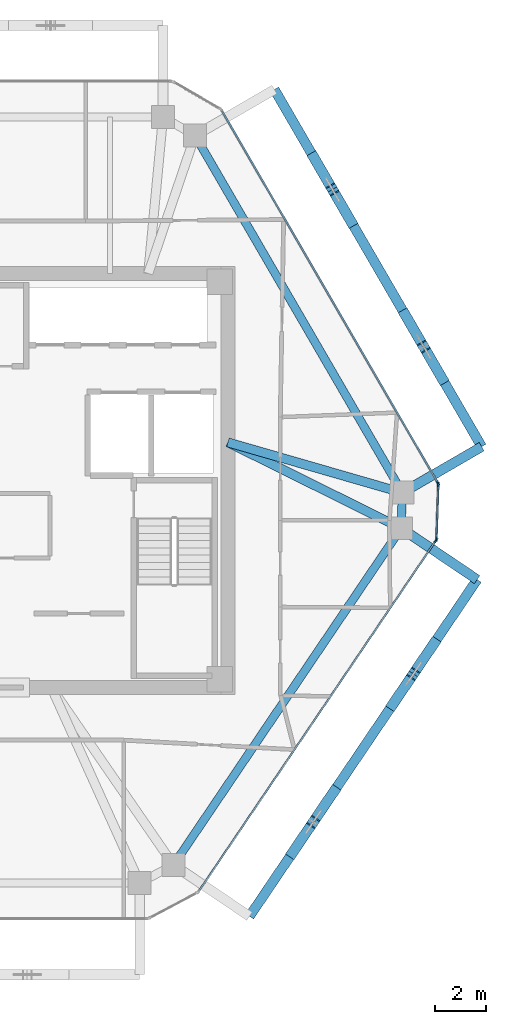
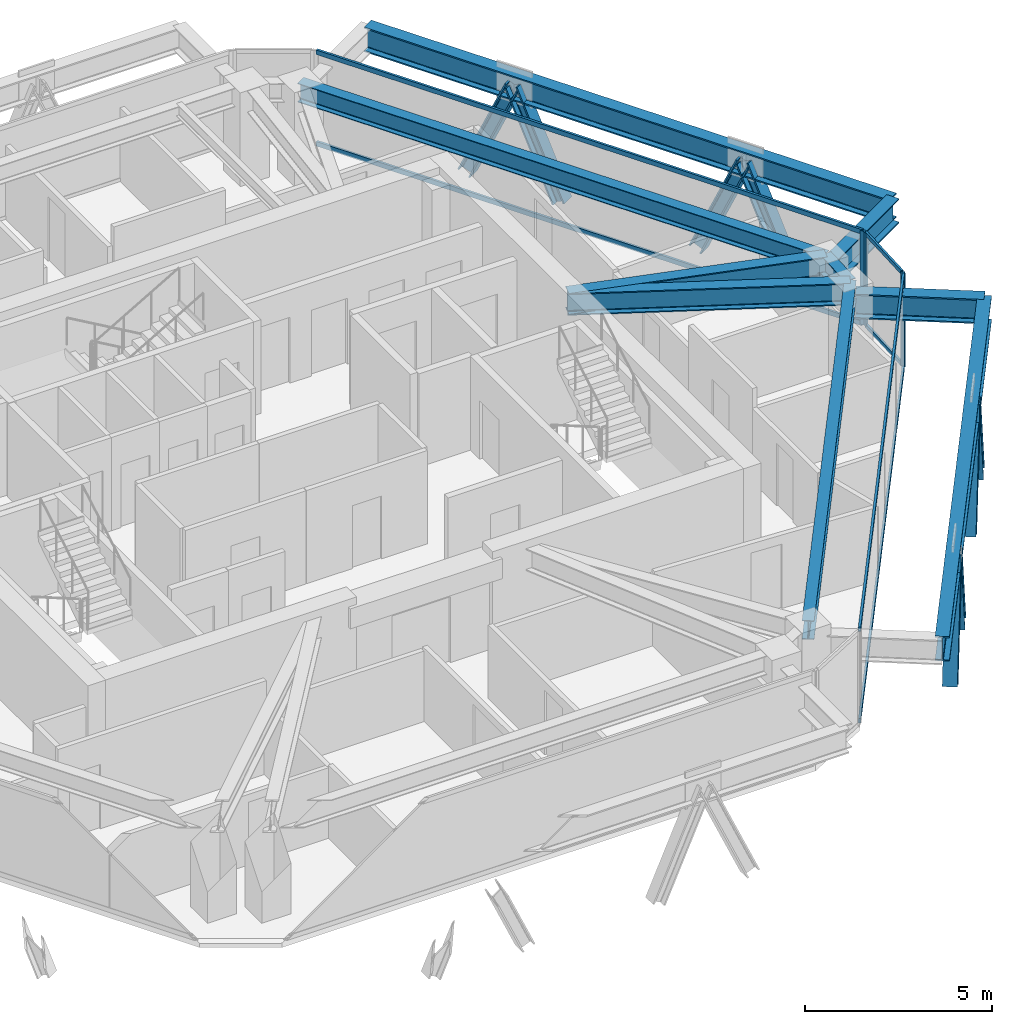
# One storey, part 5 of 13: 18 members, 9 beams, 3 elements without a shape of their own.
"""IFC4 building model written with IfcOpenShell, lengths in metres."""

import ifcopenshell
import ifcopenshell.guid

model = None  # the IFC model being written
_history = None  # IfcOwnerHistory: only IFC2X3 demands one
_inside = {}  # id of a spatial element -> (the spatial element, [elements in it])
_under = {}  # id of a project, library or spatial element -> (it, [spatial elements below it])
_declared = {}  # id of a project -> (the project, [libraries it declares])
_typed = {}  # id of a type object -> (the type object, [elements of that type])
_made_of = {}  # id of a material, layer set ... -> (it, [elements and type objects made of it])


def new_model(schema):
    """Start an empty IFC model of exactly this schema.

    Asked for "IFC4X3", IfcOpenShell would pick the latest addendum, in which some entities
    have other attributes; the version numbers below select the first issue.
    IFC2X3 requires an IfcOwnerHistory on every rooted entity: one is made here for all.
    """
    global model, _history
    if schema == "IFC4X3":
        model = ifcopenshell.file(schema_version=(4, 3, 0, 0))
    else:
        model = ifcopenshell.file(schema=schema)
    _inside.clear()
    _under.clear()
    _declared.clear()
    _typed.clear()
    _made_of.clear()
    _history = None
    if model.schema == "IFC2X3":
        org = make("IfcOrganization", Name="unknown")
        user = make(
            "IfcPersonAndOrganization",
            ThePerson=make("IfcPerson", FamilyName="unknown"),
            TheOrganization=org,
        )
        app = make(
            "IfcApplication",
            ApplicationDeveloper=org,
            Version="unknown",
            ApplicationFullName="unknown",
            ApplicationIdentifier="unknown",
        )
        _history = make(
            "IfcOwnerHistory",
            OwningUser=user,
            OwningApplication=app,
            ChangeAction="ADDED",
            CreationDate=0,
        )
    return model


def make(cls, **values):
    """One entity of the class cls with the attributes given. An attribute that is None is left unset."""
    return model.create_entity(
        cls, **{name: value for name, value in values.items() if value is not None}
    )


def rooted(cls, **values):
    """An entity with a GlobalId (a new one), such as an element, a storey or a relation."""
    return make(cls, GlobalId=ifcopenshell.guid.new(), OwnerHistory=_history, **values)


def si_unit(unit_type, name, prefix=None):
    """IfcSIUnit, for example si_unit("LENGTHUNIT", "METRE", prefix="MILLI")."""
    return make("IfcSIUnit", UnitType=unit_type, Prefix=prefix, Name=name)


def assignment(units):
    """IfcUnitAssignment: the units of a project."""
    return None if units is None else make("IfcUnitAssignment", Units=units)


def point(xyz):
    """IfcCartesianPoint."""
    return None if xyz is None else make("IfcCartesianPoint", Coordinates=xyz)


def direction(xyz):
    """IfcDirection."""
    return None if xyz is None else make("IfcDirection", DirectionRatios=xyz)


def frame(location, z_axis=None, x_axis=None):
    """IfcAxis2Placement3D, a coordinate frame: its origin and axes. An axis left out is left unset."""
    return make(
        "IfcAxis2Placement3D",
        Location=point(location),
        Axis=direction(z_axis),
        RefDirection=direction(x_axis),
    )


def frame_2d(location, x_axis=None):
    """IfcAxis2Placement2D, a coordinate frame in the plane: its origin and x axis."""
    return make(
        "IfcAxis2Placement2D", Location=point(location), RefDirection=direction(x_axis)
    )


def origin():
    """The frame at (0, 0, 0) with its axes left unset."""
    return frame((0.0, 0.0, 0.0))


def origin_2d():
    """The frame at (0, 0) in the plane with its x axis left unset."""
    return frame_2d((0.0, 0.0))


def place(relative_to, where):
    """IfcLocalPlacement: puts the frame where relative to a parent placement (None: the world)."""
    return make(
        "IfcLocalPlacement", PlacementRelTo=relative_to, RelativePlacement=where
    )


def context(
    kind, dimensions, precision=None, world=None, true_north=None, identifier=None
):
    """IfcGeometricRepresentationContext, for example the 3D "Model" context."""
    return make(
        "IfcGeometricRepresentationContext",
        ContextIdentifier=identifier,
        ContextType=kind,
        CoordinateSpaceDimension=dimensions,
        Precision=precision,
        WorldCoordinateSystem=world,
        TrueNorth=true_north,
    )


def subcontext(parent, identifier, kind, view, scale=None):
    """IfcGeometricRepresentationSubContext, for example "Body" below "Model"."""
    return make(
        "IfcGeometricRepresentationSubContext",
        ContextIdentifier=identifier,
        ContextType=kind,
        ParentContext=parent,
        TargetScale=scale,
        TargetView=view,
    )


def project(units=None, contexts=None):
    """IfcProject with its units and contexts."""
    return rooted(
        "IfcProject",
        Name="project",
        RepresentationContexts=contexts,
        UnitsInContext=assignment(units),
    )


def spatial(cls, under=None, at=None, **own):
    """A site, building, storey or space (cls), placed at a placement, below another one or the project."""
    s = rooted(cls, ObjectPlacement=at, **own)
    if under is not None:
        _under.setdefault(under.id(), (under, []))[1].append(s)
    return s


def profile(cls, at=None, kind="AREA", **sizes):
    """A parametric profile (cls). Its sizes go by their IFC names, for example OverallWidth=200.0."""
    return make(cls, ProfileType=kind, Position=at, **sizes)


def rectangle(**sizes):
    """IfcRectangleProfileDef."""
    return profile("IfcRectangleProfileDef", **sizes)


def i_section(**sizes):
    """IfcIShapeProfileDef."""
    return profile("IfcIShapeProfileDef", **sizes)


def extrude(swept, where, along, depth):
    """IfcExtrudedAreaSolid: the profile swept, set in the frame where, extruded along a direction by depth."""
    return make(
        "IfcExtrudedAreaSolid",
        SweptArea=swept,
        Position=where,
        ExtrudedDirection=direction(along),
        Depth=depth,
    )


def shape(context_of_items, identifier, shape_type, items):
    """IfcShapeRepresentation: the items that make up one representation, for example the "Body"."""
    return make(
        "IfcShapeRepresentation",
        ContextOfItems=context_of_items,
        RepresentationIdentifier=identifier,
        RepresentationType=shape_type,
        Items=items,
    )


def source(mapping_origin, context_of_items, identifier, shape_type, items):
    """IfcRepresentationMap: a shape defined once, which mapped items show again and again."""
    return make(
        "IfcRepresentationMap",
        MappingOrigin=mapping_origin,
        MappedRepresentation=shape(context_of_items, identifier, shape_type, items),
    )


def transform(
    local_origin,
    x_axis=None,
    y_axis=None,
    z_axis=None,
    scale=None,
    scale2=None,
    scale3=None,
    uniform=True,
):
    """IfcCartesianTransformationOperator3D, or its non-uniform kind. x_axis, y_axis, z_axis: its Axis1, 2, 3."""
    if uniform:
        return make(
            "IfcCartesianTransformationOperator3D",
            Axis1=direction(x_axis),
            Axis2=direction(y_axis),
            LocalOrigin=point(local_origin),
            Scale=scale,
            Axis3=direction(z_axis),
        )
    return make(
        "IfcCartesianTransformationOperator3DnonUniform",
        Axis1=direction(x_axis),
        Axis2=direction(y_axis),
        LocalOrigin=point(local_origin),
        Scale=scale,
        Axis3=direction(z_axis),
        Scale2=scale2,
        Scale3=scale3,
    )


def mapped(mapping_source, mapping_target):
    """IfcMappedItem: shows the shape of a source again, moved by a transform."""
    return make(
        "IfcMappedItem", MappingSource=mapping_source, MappingTarget=mapping_target
    )


def material(Name=None, Category=None):
    """IfcMaterial."""
    return make("IfcMaterial", Name=Name, Category=Category)


def layer(
    of_material, thickness, ventilated=None, Name=None, Category=None, Priority=None
):
    """IfcMaterialLayer: one layer of a wall or slab, of a material (None: an air gap)."""
    return make(
        "IfcMaterialLayer",
        Material=of_material,
        LayerThickness=thickness,
        IsVentilated=ventilated,
        Name=Name,
        Category=Category,
        Priority=Priority,
    )


def layer_set(layers, Name=None):
    """IfcMaterialLayerSet."""
    return make("IfcMaterialLayerSet", MaterialLayers=layers, LayerSetName=Name)


def material_profile(
    of_material, cross_section, Name=None, Category=None, Priority=None
):
    """IfcMaterialProfile: a cross section and its material."""
    return make(
        "IfcMaterialProfile",
        Name=Name,
        Material=of_material,
        Profile=cross_section,
        Priority=Priority,
        Category=Category,
    )


def profile_set(profiles, Name=None, composite=None):
    """IfcMaterialProfileSet."""
    return make(
        "IfcMaterialProfileSet",
        Name=Name,
        MaterialProfiles=profiles,
        CompositeProfile=composite,
    )


def made_of(thing, what):
    """Note that an element or type object is made of a material, layer set ...; save() writes the relation."""
    if what is not None:
        _made_of.setdefault(what.id(), (what, []))[1].append(thing)
    return thing


def type_object(cls, material=None, **own):
    """A type object (cls), such as IfcWallType, which elements share."""
    return made_of(rooted(cls, **own), material)


def type_shapes(of_type, sources):
    """Give a type object the sources (RepresentationMaps) that its elements show as mapped items."""
    of_type.RepresentationMaps = sources


def element(
    cls,
    number,
    at=None,
    inside=None,
    cuts=None,
    type_object=None,
    material=None,
    context=None,
    identifier="Body",
    shape_type=None,
    held_by="IfcProductDefinitionShape",
    body=None,
    shapes=None,
    **own,
):
    """One element of the class cls, such as IfcWall. Its Tag is "e" and its number.

    at: its placement. inside: the storey or other place that contains it. cuts: it is an
    opening in that element (IfcRelVoidsElement). A single representation is given by context,
    identifier, shape_type and body (its items); several are given by shapes. held_by: the class
    of the entity that holds the representations. save() writes the other relations.
    """
    e = rooted(cls, Tag="e%d" % number, ObjectPlacement=at, **own)
    if body is not None:
        shapes = [shape(context, identifier, shape_type, body)]
    if shapes is not None:
        e.Representation = make(held_by, Representations=shapes)
    if inside is not None:
        _inside.setdefault(inside.id(), (inside, []))[1].append(e)
    if cuts is not None:
        rooted(
            "IfcRelVoidsElement", RelatingBuildingElement=cuts, RelatedOpeningElement=e
        )
    if type_object is not None:
        _typed.setdefault(type_object.id(), (type_object, []))[1].append(e)
    return made_of(e, material)


def aggregate(whole, parts):
    """IfcRelAggregates: a whole, such as a stair, and the parts it consists of."""
    return rooted("IfcRelAggregates", RelatingObject=whole, RelatedObjects=parts)


def save(model, path):
    """Write the relations noted so far, then the file.

    IfcRelAggregates (storeys below a building ...), IfcRelContainedInSpatialStructure (elements
    in a storey), IfcRelDefinesByType, IfcRelAssociatesMaterial and IfcRelDeclares: one each for
    every whole, place, type object, material and project.
    """
    for whole, parts in _under.values():
        aggregate(whole, parts)
    for where, things in _inside.values():
        rooted(
            "IfcRelContainedInSpatialStructure",
            RelatedElements=things,
            RelatingStructure=where,
        )
    for kind, things in _typed.values():
        rooted("IfcRelDefinesByType", RelatedObjects=things, RelatingType=kind)
    for what, things in _made_of.values():
        rooted("IfcRelAssociatesMaterial", RelatedObjects=things, RelatingMaterial=what)
    for by, libraries in _declared.values():
        rooted("IfcRelDeclares", RelatingContext=by, RelatedDefinitions=libraries)
    model.write(path)


model = new_model("IFC4")

# Units and contexts
model_context = context("Model", 3, precision=1e-05, world=origin(), true_north=direction((0.0, 1.0)))
body_context = subcontext(model_context, "Body", "Model", "MODEL_VIEW")
ifc_project = project(units=[si_unit("LENGTHUNIT", "METRE"), si_unit("AREAUNIT", "SQUARE_METRE"), si_unit("VOLUMEUNIT", "CUBIC_METRE"), si_unit("PLANEANGLEUNIT", "RADIAN"), si_unit("MASSUNIT", "GRAM", prefix="KILO")], contexts=[model_context])

# Site, building, storey
site_placement = place(None, origin())
site = spatial("IfcSite", under=ifc_project, at=site_placement, CompositionType="ELEMENT")
building_placement = place(site_placement, origin())
building = spatial("IfcBuilding", under=site, at=building_placement, Name="Durnholm Broadcast Tower", CompositionType="ELEMENT")
storey_placement = place(building_placement, frame((0.0, 0.0, 234.800048828125)))
storey = spatial("IfcBuildingStorey", under=building, at=storey_placement, Name="L65", CompositionType="ELEMENT", Elevation=234.800048828125)

# Beams
ifc_material_1 = material(Name="Steel ASTM A992 Grade 50", Category="steel")
ifc_material_profile_1 = material_profile(ifc_material_1, i_section(OverallWidth=0.385009765625, OverallDepth=0.802978515625, WebThickness=0.023681640625, FlangeThickness=0.0419921875, FilletRadius=0.032958984375, at=origin_2d()), Name="W30X261")
ifc_profile_set_1 = profile_set([ifc_material_profile_1], Name="Steel ASTM A992 Grade 50")
beam_type_1 = type_object("IfcBeamType", Name="BM-EXO-TIE", PredefinedType="USERDEFINED", material=ifc_profile_set_1)
shared_shape_1 = source(origin(), body_context, "Body", "SweptSolid", [
    extrude(i_section(OverallWidth=0.385009765625, OverallDepth=0.802978515625, WebThickness=0.023681640625, FlangeThickness=0.0419921875, FilletRadius=0.032958984375, at=origin_2d()), origin(), (0.0, 0.0, 1.0), 3.4560546875),
])
beam_1_placement = place(storey_placement, frame((17.0947265625, -0.40380859375, 2.30859375), z_axis=(0.864924479231, 0.501902027518, 0.0), x_axis=(-0.501902027518, 0.864924479231, 0.0)))
element("IfcBeam", 1, at=beam_1_placement, inside=storey, type_object=beam_type_1, Name="L65 exoskeleton stand-off tie bracket F3.1", ObjectType="GIRDER", PredefinedType="USERDEFINED", context=body_context, shape_type="MappedRepresentation", body=[
    mapped(shared_shape_1, transform((0.0, 0.0, 0.0), x_axis=(1.0, 0.0, 0.0), y_axis=(0.0, 1.0, 0.0), z_axis=(0.0, 0.0, 1.0), scale=1.0)),
])
shared_shape_2 = source(origin(), body_context, "Body", "SweptSolid", [
    extrude(i_section(OverallWidth=0.385009765625, OverallDepth=0.802978515625, WebThickness=0.023681640625, FlangeThickness=0.0419921875, FilletRadius=0.032958984375, at=origin_2d()), origin(), (0.0, 0.0, 1.0), 3.455810546875),
])
beam_2_placement = place(storey_placement, frame((17.041748046875, -1.95068359375, 2.30859375), z_axis=(0.828446342252, -0.560068440469, 0.0), x_axis=(0.560068440469, 0.828446342252, 0.0)))
element("IfcBeam", 2, at=beam_2_placement, inside=storey, type_object=beam_type_1, Name="L65 exoskeleton stand-off tie bracket F2.2", ObjectType="GIRDER", PredefinedType="USERDEFINED", context=body_context, shape_type="MappedRepresentation", body=[
    mapped(shared_shape_2, transform((0.0, 0.0, 0.0), x_axis=(1.0, 0.0, 0.0), y_axis=(0.0, 1.0, 0.0), z_axis=(0.0, 0.0, 1.0), scale=1.0)),
])
ifc_material_profile_2 = material_profile(ifc_material_1, i_section(OverallWidth=0.3251953125, OverallDepth=0.6162109375, WebThickness=0.013916015625, FlangeThickness=0.021484375, FilletRadius=0.02783203125, at=origin_2d()), Name="W24X117")
ifc_profile_set_2 = profile_set([ifc_material_profile_2], Name="Steel ASTM A992 Grade 50")
beam_type_2 = type_object("IfcBeamType", Name="STL-SP-W24X117", PredefinedType="SPANDREL", material=ifc_profile_set_2)
shared_shape_3 = source(origin(), body_context, "Body", "SweptSolid", [
    extrude(i_section(OverallWidth=0.3251953125, OverallDepth=0.6162109375, WebThickness=0.013916015625, FlangeThickness=0.021484375, FilletRadius=0.02783203125, at=origin_2d()), origin(), (0.0, 0.0, 1.0), 1.39453125),
])
beam_3_placement = place(storey_placement, frame((16.97021484375, -0.47607421875, 2.73681640625), z_axis=(-0.034311541846, -0.999411185697, 0.0), x_axis=(0.999411185697, -0.034311541846, 0.0)))
element("IfcBeam", 3, at=beam_3_placement, inside=storey, type_object=beam_type_2, Name="L65 perimeter spandrel girder 08", PredefinedType="SPANDREL", context=body_context, shape_type="MappedRepresentation", body=[
    mapped(shared_shape_3, transform((0.0, 0.0, 0.0), x_axis=(1.0, 0.0, 0.0), y_axis=(0.0, 1.0, 0.0), z_axis=(0.0, 0.0, 1.0), scale=1.0)),
])
shared_shape_4 = source(origin(), body_context, "Body", "SweptSolid", [
    extrude(i_section(OverallWidth=0.3251953125, OverallDepth=0.6162109375, WebThickness=0.013916015625, FlangeThickness=0.021484375, FilletRadius=0.02783203125, at=origin_2d()), origin(), (0.0, 0.0, 1.0), 15.947265625),
])
beam_4_placement = place(storey_placement, frame((16.92236328125, -1.869873046875, 2.73681640625), z_axis=(-0.560062212489, -0.828450552623, 0.0), x_axis=(0.828450552623, -0.560062212489, 0.0)))
element("IfcBeam", 4, at=beam_4_placement, inside=storey, type_object=beam_type_2, Name="L65 perimeter spandrel girder 09", PredefinedType="SPANDREL", context=body_context, shape_type="MappedRepresentation", body=[
    mapped(shared_shape_4, transform((0.0, 0.0, 0.0), x_axis=(1.0, 0.0, 0.0), y_axis=(0.0, 1.0, 0.0), z_axis=(0.0, 0.0, 1.0), scale=1.0)),
])
shared_shape_5 = source(origin(), body_context, "Body", "SweptSolid", [
    extrude(i_section(OverallWidth=0.3251953125, OverallDepth=0.6162109375, WebThickness=0.013916015625, FlangeThickness=0.021484375, FilletRadius=0.02783203125, at=origin_2d()), origin(), (0.0, 0.0, 1.0), 16.20263671875),
])
type_shapes(beam_type_2, [shared_shape_3, shared_shape_4, shared_shape_5])
beam_5_placement = place(storey_placement, frame((8.83740234375, 13.53759765625, 2.73681640625), z_axis=(0.501943573333, -0.864900369516, 0.0), x_axis=(0.864900369516, 0.501943573333, 0.0)))
element("IfcBeam", 5, at=beam_5_placement, inside=storey, type_object=beam_type_2, Name="L65 perimeter spandrel girder 07", PredefinedType="SPANDREL", context=body_context, shape_type="MappedRepresentation", body=[
    mapped(shared_shape_5, transform((0.0, 0.0, 0.0), x_axis=(1.0, 0.0, 0.0), y_axis=(0.0, 1.0, 0.0), z_axis=(0.0, 0.0, 1.0), scale=1.0)),
])
shared_shape_6 = source(origin(), body_context, "Body", "SweptSolid", [
    extrude(i_section(OverallWidth=0.385009765625, OverallDepth=0.802978515625, WebThickness=0.023681640625, FlangeThickness=0.0419921875, FilletRadius=0.032958984375, at=origin_2d()), origin(), (0.0, 0.0, 1.0), 15.947021484375),
])
beam_6_placement = place(storey_placement, frame((10.973388671875, -17.097412109375, 2.30859375), z_axis=(0.560069315853, 0.828445750451, 0.0), x_axis=(-0.828445750451, 0.560069315853, 0.0)))
element("IfcBeam", 6, at=beam_6_placement, inside=storey, type_object=beam_type_1, Name="L65 exoskeleton collector spandrel F2", PredefinedType="SPANDREL", context=body_context, shape_type="MappedRepresentation", body=[
    mapped(shared_shape_6, transform((0.0, 0.0, 0.0), x_axis=(1.0, 0.0, 0.0), y_axis=(0.0, 1.0, 0.0), z_axis=(0.0, 0.0, 1.0), scale=1.0)),
])
shared_shape_7 = source(origin(), body_context, "Body", "SweptSolid", [
    extrude(i_section(OverallWidth=0.385009765625, OverallDepth=0.802978515625, WebThickness=0.023681640625, FlangeThickness=0.0419921875, FilletRadius=0.032958984375, at=origin_2d()), origin(), (0.0, 0.0, 1.0), 16.202880859375),
])
type_shapes(beam_type_1, [shared_shape_1, shared_shape_2, shared_shape_6, shared_shape_7])
beam_7_placement = place(storey_placement, frame((20.083984375, 1.330810546875, 2.30859375), z_axis=(-0.501948303381, 0.864897624423, 0.0), x_axis=(-0.864897624423, -0.501948303381, 0.0)))
element("IfcBeam", 7, at=beam_7_placement, inside=storey, type_object=beam_type_1, Name="L65 exoskeleton collector spandrel F3", PredefinedType="SPANDREL", context=body_context, shape_type="MappedRepresentation", body=[
    mapped(shared_shape_7, transform((0.0, 0.0, 0.0), x_axis=(1.0, 0.0, 0.0), y_axis=(0.0, 1.0, 0.0), z_axis=(0.0, 0.0, 1.0), scale=1.0)),
])
ifc_material_profile_3 = material_profile(ifc_material_1, i_section(OverallWidth=0.3564453125, OverallDepth=0.713623046875, WebThickness=0.01904296875, FlangeThickness=0.033935546875, FilletRadius=0.030517578125, at=origin_2d()), Name="W27X194")
ifc_profile_set_3 = profile_set([ifc_material_profile_3], Name="Steel ASTM A992 Grade 50")
beam_type_3 = type_object("IfcBeamType", Name="STL-GR-W27X194", PredefinedType="USERDEFINED", material=ifc_profile_set_3)
shared_shape_8 = source(origin(), body_context, "Body", "SweptSolid", [
    extrude(i_section(OverallWidth=0.3564453125, OverallDepth=0.713623046875, WebThickness=0.01904296875, FlangeThickness=0.033935546875, FilletRadius=0.030517578125, at=origin_2d()), origin(), (0.0, 0.0, 1.0), 7.124755859375),
])
beam_8_placement = place(storey_placement, frame((10.125, 1.5, 2.688232421875), z_axis=(0.960767767054, -0.277354101809, 0.0), x_axis=(0.277354101809, 0.960767767054, 0.0)))
element("IfcBeam", 8, at=beam_8_placement, inside=storey, type_object=beam_type_3, Name="L65 radial primary floor girder 08", ObjectType="GIRDER", PredefinedType="USERDEFINED", context=body_context, shape_type="MappedRepresentation", body=[
    mapped(shared_shape_8, transform((0.0, 0.0, 0.0), x_axis=(1.0, 0.0, 0.0), y_axis=(0.0, 1.0, 0.0), z_axis=(0.0, 0.0, 1.0), scale=1.0)),
])
shared_shape_9 = source(origin(), body_context, "Body", "SweptSolid", [
    extrude(i_section(OverallWidth=0.3564453125, OverallDepth=0.713623046875, WebThickness=0.01904296875, FlangeThickness=0.033935546875, FilletRadius=0.030517578125, at=origin_2d()), origin(), (0.0, 0.0, 1.0), 7.5869140625),
])
type_shapes(beam_type_3, [shared_shape_8, shared_shape_9])
beam_9_placement = place(storey_placement, frame((10.125, 1.5, 2.688232421875), z_axis=(0.895940903598, -0.444173273916, 0.0), x_axis=(0.444173273916, 0.895940903598, 0.0)))
element("IfcBeam", 9, at=beam_9_placement, inside=storey, type_object=beam_type_3, Name="L65 radial primary floor girder 09", ObjectType="GIRDER", PredefinedType="USERDEFINED", context=body_context, shape_type="MappedRepresentation", body=[
    mapped(shared_shape_9, transform((0.0, 0.0, 0.0), x_axis=(1.0, 0.0, 0.0), y_axis=(0.0, 1.0, 0.0), z_axis=(0.0, 0.0, 1.0), scale=1.0)),
])

# Members
ifc_material_2 = material(Name="Steel ASTM A913 Grade 65", Category="steel")
ifc_material_profile_4 = material_profile(ifc_material_2, i_section(OverallWidth=0.40625, OverallDepth=0.416015625, WebThickness=0.02978515625, FlangeThickness=0.048095703125, FilletRadius=0.030517578125, at=origin_2d()), Name="W14X257")
ifc_profile_set_4 = profile_set([ifc_material_profile_4], Name="Steel ASTM A913 Grade 65")
member_type_1 = type_object("IfcMemberType", Name="STL-DG-W14X257", PredefinedType="BRACE", material=ifc_profile_set_4)
shared_shape_10 = source(origin(), body_context, "Body", "SweptSolid", [
    extrude(i_section(OverallWidth=0.40625, OverallDepth=0.416015625, WebThickness=0.02978515625, FlangeThickness=0.048095703125, FilletRadius=0.030517578125, at=origin_2d()), origin(), (0.0, 0.0, 1.0), 3.60791015625),
])
type_shapes(member_type_1, [shared_shape_10])
for number, where, z_axis, x_axis, name in (
    (10, (12.657470703125, -14.6064453125, -0.991455078125), (0.226349134478, 0.334888450383, 0.914667040579), (-0.828505003222, 0.559981660089, 0.0), "L65 stand-off diagrid brace F2.D1.1"),
    (11, (14.290771484375, -12.190185546875, -0.991455078125), (-0.226354263477, -0.334828369412, 0.914687766641), (0.828452496411, -0.560059337206, 0.0), "L65 stand-off diagrid brace F2.D1.2"),
    (12, (16.58740234375, -8.79345703125, -0.991455078125), (0.226349134478, 0.334888450383, 0.914667040579), (-0.828505003222, 0.559981660089, 0.0), "L65 stand-off diagrid brace F2.D2.1"),
    (13, (18.220703125, -6.377197265625, -0.991455078125), (-0.226354263477, -0.334828369412, 0.914687766641), (0.828452496411, -0.560059337206, 0.0), "L65 stand-off diagrid brace F2.D2.2"),
    (14, (18.53857421875, 3.99365234375, -0.991455078125), (-0.202871189729, 0.349577240207, 0.914679743685), (-0.864906184135, -0.501933554014, 0.0), "L65 stand-off diagrid brace F3.D1.1"),
    (15, (17.07470703125, 6.51611328125, -0.991455078125), (0.202871189729, -0.349577240207, 0.914679743685), (0.864906184135, 0.501933554014, 0.0), "L65 stand-off diagrid brace F3.D1.2"),
    (16, (14.960205078125, 10.15966796875, -0.991455078125), (-0.202871189729, 0.349577240207, 0.914679743685), (-0.864906184135, -0.501933554014, 0.0), "L65 stand-off diagrid brace F3.D2.1"),
    (17, (13.496337890625, 12.681884765625, -0.991455078125), (0.202875988452, -0.349517838677, 0.914701379553), (0.864863994925, 0.502006245263, 0.0), "L65 stand-off diagrid brace F3.D2.2"),
):
    element("IfcMember", number, at=place(storey_placement, frame(where, z_axis=z_axis, x_axis=x_axis)), inside=storey, type_object=member_type_1, Name=name, PredefinedType="BRACE", context=body_context, shape_type="MappedRepresentation", body=[
        mapped(shared_shape_10, transform((0.0, 0.0, 0.0), x_axis=(1.0, 0.0, 0.0), y_axis=(0.0, 1.0, 0.0), z_axis=(0.0, 0.0, 1.0), scale=1.0)),
    ])

# Curtain wall, members
ifc_material_3 = material(Name="Aluminium and Solar Control IGU", Category="aluminium")
ifc_layer_1 = layer(ifc_material_3, 0.1650390625)
ifc_layer_set_1 = layer_set([ifc_layer_1], Name="Aluminium and Solar Control IGU")
curtain_wall_type_1 = type_object("IfcCurtainWallType", Name="CW-SYS-5", PredefinedType="NOTDEFINED", material=ifc_layer_set_1)
curtain_wall_1_placement = place(storey_placement, origin())
curtain_wall_1 = element("IfcCurtainWall", 18, at=curtain_wall_1_placement, inside=storey, type_object=curtain_wall_type_1, Name="L65 curtain wall CW-CORNER CW-L65-CRN-07", PredefinedType="NOTDEFINED")
ifc_material_4 = material(Name="Aluminium 6063-T6", Category="aluminium")
ifc_material_profile_5 = material_profile(ifc_material_4, rectangle(XDim=0.06494140625, YDim=0.1298828125, at=origin_2d()), Name="CWT65X130")
ifc_profile_set_5 = profile_set([ifc_material_profile_5], Name="Aluminium 6063-T6")
member_type_2 = type_object("IfcMemberType", Name="CW-SYS-5-TRN", PredefinedType="USERDEFINED", material=ifc_profile_set_5)
shared_shape_11 = source(origin(), body_context, "Body", "SweptSolid", [
    extrude(rectangle(XDim=0.06494140625, YDim=0.1298828125, at=origin_2d()), origin(), (0.0, 0.0, 1.0), 2.06982421875),
])
type_shapes(member_type_2, [shared_shape_11])
member_1_placement = place(storey_placement, frame((18.381103515625, -0.186767578125, 0.032470703125), z_axis=(-0.034324150719, -0.999410752733, 0.0), x_axis=(0.999410752733, -0.034324150719, 0.0)))
member_1 = element("IfcMember", 19, at=member_1_placement, type_object=member_type_2, Name="CW-CORNER transom 1.1", ObjectType="TRANSOM", PredefinedType="USERDEFINED", context=body_context, shape_type="MappedRepresentation", body=[
    mapped(shared_shape_11, transform((0.0, 0.0, 0.0), x_axis=(1.0, 0.0, 0.0), y_axis=(0.0, 1.0, 0.0), z_axis=(0.0, 0.0, 1.0), scale=1.0)),
])
member_2_placement = place(storey_placement, frame((18.381103515625, -0.186767578125, 3.02734375), z_axis=(-0.034324150719, -0.999410752733, 0.0), x_axis=(0.999410752733, -0.034324150719, 0.0)))
member_2 = element("IfcMember", 20, at=member_2_placement, type_object=member_type_2, Name="CW-CORNER transom 1.2", ObjectType="TRANSOM", PredefinedType="USERDEFINED", context=body_context, shape_type="MappedRepresentation", body=[
    mapped(shared_shape_11, transform((0.0, 0.0, 0.0), x_axis=(1.0, 0.0, 0.0), y_axis=(0.0, 1.0, 0.0), z_axis=(0.0, 0.0, 1.0), scale=1.0)),
])
ifc_material_profile_6 = material_profile(ifc_material_4, rectangle(XDim=0.06494140625, YDim=0.1650390625, at=origin_2d()), Name="CWM65X165")
ifc_profile_set_6 = profile_set([ifc_material_profile_6], Name="Aluminium 6063-T6")
member_type_3 = type_object("IfcMemberType", Name="CW-SYS-5-MUL", PredefinedType="MULLION", material=ifc_profile_set_6)
shared_shape_12 = source(origin(), body_context, "Body", "SweptSolid", [
    extrude(rectangle(XDim=0.06494140625, YDim=0.1650390625, at=origin_2d()), origin(), (0.0, 0.0, 1.0), 3.06005859375),
])
type_shapes(member_type_3, [shared_shape_12])
member_3_placement = place(storey_placement, frame((18.382080078125, -0.154296875, 0.0), z_axis=(0.0, 0.0, 1.0), x_axis=(0.999410955514, -0.034318245849, 0.0)))
member_3 = element("IfcMember", 21, at=member_3_placement, type_object=member_type_3, Name="CW-CORNER mullion 1", PredefinedType="MULLION", context=body_context, shape_type="MappedRepresentation", body=[
    mapped(shared_shape_12, transform((0.0, 0.0, 0.0), x_axis=(1.0, 0.0, 0.0), y_axis=(0.0, 1.0, 0.0), z_axis=(0.0, 0.0, 1.0), scale=1.0)),
])
member_4_placement = place(storey_placement, frame((18.308837890625, -2.287841796875, 0.0), z_axis=(0.0, 0.0, 1.0), x_axis=(0.999410955514, -0.034318245849, 0.0)))
member_4 = element("IfcMember", 22, at=member_4_placement, type_object=member_type_3, Name="CW-CORNER mullion 2", PredefinedType="MULLION", context=body_context, shape_type="MappedRepresentation", body=[
    mapped(shared_shape_12, transform((0.0, 0.0, 0.0), x_axis=(1.0, 0.0, 0.0), y_axis=(0.0, 1.0, 0.0), z_axis=(0.0, 0.0, 1.0), scale=1.0)),
])
aggregate(curtain_wall_1, [member_3, member_4, member_1, member_2])

# Curtain wall, member
ifc_layer_2 = layer(ifc_material_3, 0.18994140625)
ifc_layer_set_2 = layer_set([ifc_layer_2], Name="Aluminium and Solar Control IGU")
curtain_wall_type_2 = type_object("IfcCurtainWallType", Name="CW-SYS-4", PredefinedType="NOTDEFINED", material=ifc_layer_set_2)
curtain_wall_2_placement = place(storey_placement, origin())
curtain_wall_2 = element("IfcCurtainWall", 23, at=curtain_wall_2_placement, inside=storey, type_object=curtain_wall_type_2, Name="L65 curtain wall CW-Z34-VIS CW-L65-F06", PredefinedType="NOTDEFINED")
ifc_material_profile_7 = material_profile(ifc_material_4, rectangle(XDim=0.070068359375, YDim=0.18994140625, at=origin_2d()), Name="CWM70X190")
ifc_profile_set_7 = profile_set([ifc_material_profile_7], Name="Aluminium 6063-T6")
member_type_4 = type_object("IfcMemberType", Name="CW-SYS-4-MUL", PredefinedType="MULLION", material=ifc_profile_set_7)
shared_shape_13 = source(origin(), body_context, "Body", "SweptSolid", [
    extrude(rectangle(XDim=0.070068359375, YDim=0.18994140625, at=origin_2d()), origin(), (0.0, 0.0, 1.0), 3.06005859375),
])
type_shapes(member_type_4, [shared_shape_13])
member_5_placement = place(storey_placement, frame((18.36572265625, -0.09130859375, 0.0), z_axis=(0.0, 0.0, 1.0), x_axis=(0.864899883824, 0.50194441023, 0.0)))
member_5 = element("IfcMember", 24, at=member_5_placement, type_object=member_type_4, Name="CW-Z34-VIS mullion 2", PredefinedType="MULLION", context=body_context, shape_type="MappedRepresentation", body=[
    mapped(shared_shape_13, transform((0.0, 0.0, 0.0), x_axis=(1.0, 0.0, 0.0), y_axis=(0.0, 1.0, 0.0), z_axis=(0.0, 0.0, 1.0), scale=1.0)),
])

# Curtain wall, members
curtain_wall_3_placement = place(storey_placement, origin())
curtain_wall_3 = element("IfcCurtainWall", 25, at=curtain_wall_3_placement, inside=storey, type_object=curtain_wall_type_2, Name="L65 curtain wall CW-Z34-VIS CW-L65-F08", PredefinedType="NOTDEFINED")
member_6_placement = place(storey_placement, frame((18.2880859375, -2.349365234375, 0.0), z_axis=(0.0, 0.0, 1.0), x_axis=(0.828443431662, -0.560072745753, 0.0)))
member_6 = element("IfcMember", 26, at=member_6_placement, type_object=member_type_4, Name="CW-Z34-VIS mullion 1", PredefinedType="MULLION", context=body_context, shape_type="MappedRepresentation", body=[
    mapped(shared_shape_13, transform((0.0, 0.0, 0.0), x_axis=(1.0, 0.0, 0.0), y_axis=(0.0, 1.0, 0.0), z_axis=(0.0, 0.0, 1.0), scale=1.0)),
])
ifc_material_profile_8 = material_profile(ifc_material_4, rectangle(XDim=0.070068359375, YDim=0.14990234375, at=origin_2d()), Name="CWT70X150")
ifc_profile_set_8 = profile_set([ifc_material_profile_8], Name="Aluminium 6063-T6")
member_type_5 = type_object("IfcMemberType", Name="CW-SYS-4-TRN", PredefinedType="USERDEFINED", material=ifc_profile_set_8)
shared_shape_14 = source(origin(), body_context, "Body", "SweptSolid", [
    extrude(rectangle(XDim=0.070068359375, YDim=0.14990234375, at=origin_2d()), origin(), (0.0, 0.0, 1.0), 16.55859375),
])
member_7_placement = place(storey_placement, frame((18.2685546875, -2.37841796875, 0.034912109375), z_axis=(-0.560071338091, -0.828444383317, 0.0), x_axis=(0.828444383317, -0.560071338091, 0.0)))
member_7 = element("IfcMember", 27, at=member_7_placement, type_object=member_type_5, Name="CW-Z34-VIS transom 1.1", ObjectType="TRANSOM", PredefinedType="USERDEFINED", context=body_context, shape_type="MappedRepresentation", body=[
    mapped(shared_shape_14, transform((0.0, 0.0, 0.0), x_axis=(1.0, 0.0, 0.0), y_axis=(0.0, 1.0, 0.0), z_axis=(0.0, 0.0, 1.0), scale=1.0)),
])
member_8_placement = place(storey_placement, frame((18.2685546875, -2.37841796875, 3.02490234375), z_axis=(-0.560071338091, -0.828444383317, 0.0), x_axis=(0.828444383317, -0.560071338091, 0.0)))
member_8 = element("IfcMember", 28, at=member_8_placement, type_object=member_type_5, Name="CW-Z34-VIS transom 1.2", ObjectType="TRANSOM", PredefinedType="USERDEFINED", context=body_context, shape_type="MappedRepresentation", body=[
    mapped(shared_shape_14, transform((0.0, 0.0, 0.0), x_axis=(1.0, 0.0, 0.0), y_axis=(0.0, 1.0, 0.0), z_axis=(0.0, 0.0, 1.0), scale=1.0)),
])
aggregate(curtain_wall_3, [member_6, member_7, member_8])

# Member
shared_shape_15 = source(origin(), body_context, "Body", "SweptSolid", [
    extrude(rectangle(XDim=0.070068359375, YDim=0.14990234375, at=origin_2d()), origin(), (0.0, 0.0, 1.0), 16.83984375),
])
type_shapes(member_type_5, [shared_shape_14, shared_shape_15])
member_9_placement = place(storey_placement, frame((9.8955078125, 14.503662109375, 0.034912109375), z_axis=(0.501945239029, -0.86489940283, 0.0), x_axis=(0.86489940283, 0.501945239029, 0.0)))
member_9 = element("IfcMember", 29, at=member_9_placement, type_object=member_type_5, Name="CW-Z34-VIS transom 1.1", ObjectType="TRANSOM", PredefinedType="USERDEFINED", context=body_context, shape_type="MappedRepresentation", body=[
    mapped(shared_shape_15, transform((0.0, 0.0, 0.0), x_axis=(1.0, 0.0, 0.0), y_axis=(0.0, 1.0, 0.0), z_axis=(0.0, 0.0, 1.0), scale=1.0)),
])

member_10_placement = place(storey_placement, frame((9.8955078125, 14.503662109375, 3.02490234375), z_axis=(0.501945239029, -0.86489940283, 0.0), x_axis=(0.86489940283, 0.501945239029, 0.0)))
member_10 = element("IfcMember", 30, at=member_10_placement, type_object=member_type_5, Name="CW-Z34-VIS transom 1.2", ObjectType="TRANSOM", PredefinedType="USERDEFINED", context=body_context, shape_type="MappedRepresentation", body=[
    mapped(shared_shape_15, transform((0.0, 0.0, 0.0), x_axis=(1.0, 0.0, 0.0), y_axis=(0.0, 1.0, 0.0), z_axis=(0.0, 0.0, 1.0), scale=1.0)),
])

aggregate(curtain_wall_2, [member_5, member_9, member_10])

save(model, "model.ifc")
